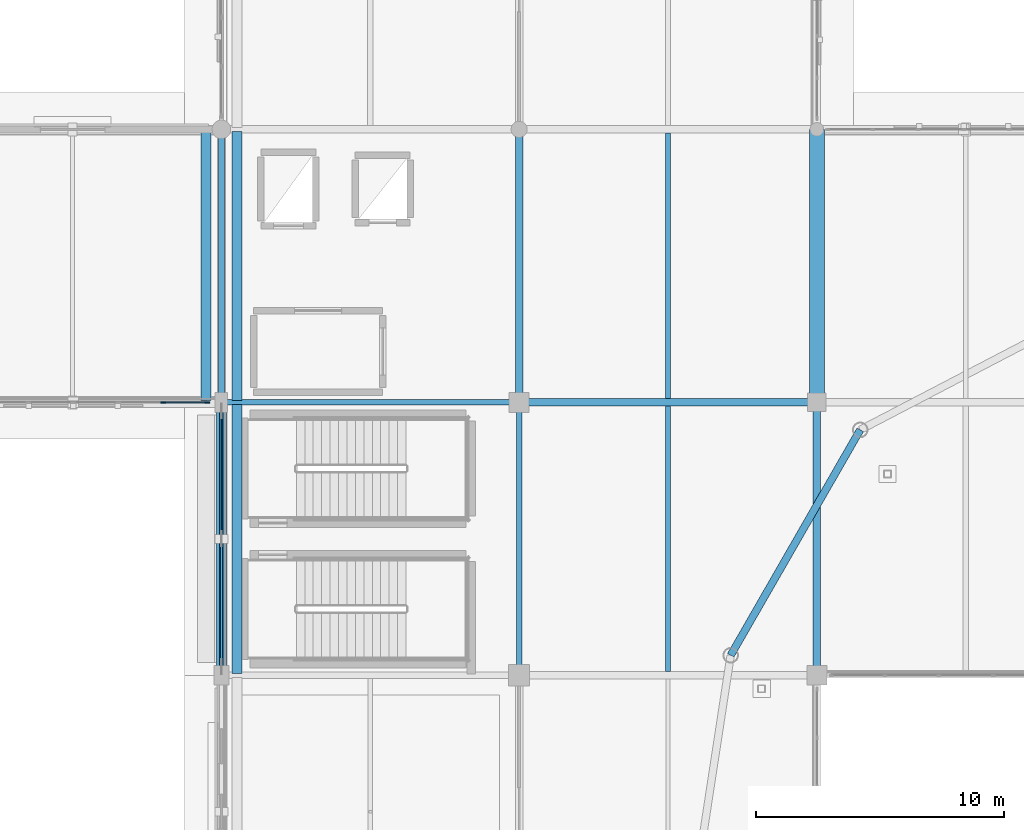
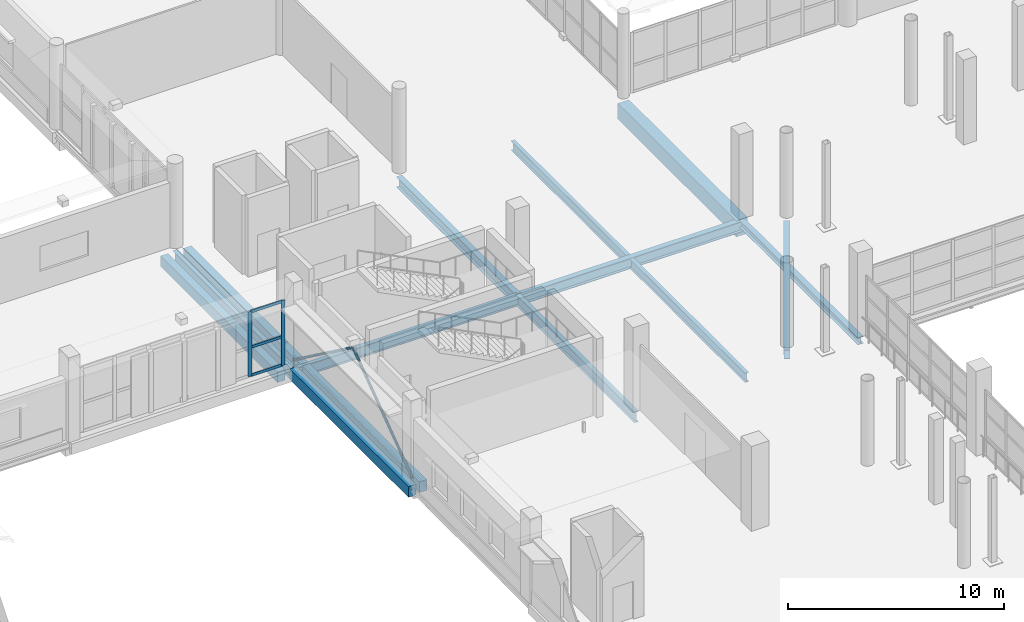
# One storey, part 42 of 143: 14 beams, 7 members, 1 element without a shape of its own.
"""IFC4 building model written with IfcOpenShell, lengths in metres."""

from ifc_helpers import new_model, si_unit, direction, frame, origin, origin_2d, place, context, subcontext, project, spatial, rectangle, hollow_rectangle, hollow_circle, i_section, extrude, material, material_profile, profile_set, type_object, element, aggregate, save


model = new_model("IFC4")

# Units and contexts
model_context = context("Model", 3, precision=1e-05, world=origin(), true_north=direction((0.0, 1.0)))
body_context = subcontext(model_context, "Body", "Model", "MODEL_VIEW")
ifc_project = project(units=[si_unit("LENGTHUNIT", "METRE"), si_unit("AREAUNIT", "SQUARE_METRE"), si_unit("VOLUMEUNIT", "CUBIC_METRE"), si_unit("PLANEANGLEUNIT", "RADIAN"), si_unit("MASSUNIT", "GRAM", prefix="KILO")], contexts=[model_context])

# Site, building, storey
site_placement = place(None, origin())
site = spatial("IfcSite", under=ifc_project, at=site_placement, CompositionType="ELEMENT")
building_placement = place(site_placement, origin())
building = spatial("IfcBuilding", under=site, at=building_placement, Name="Luwafu Chhajja Arena", CompositionType="ELEMENT")
storey_placement = place(building_placement, frame((0.0, 0.0, 5.39990234375)))
storey = spatial("IfcBuildingStorey", under=building, at=storey_placement, Name="L01", CompositionType="ELEMENT", Elevation=5.39990234375)

# Curtain wall, members
ifc_material_1 = material(Name="Anodised bronze aluminium", Category="aluminium")
curtain_wall_type = type_object("IfcCurtainWallType", Name="Foyer Luwafu Street Curtain Wall", PredefinedType="USERDEFINED", material=ifc_material_1)
curtain_wall_placement = place(storey_placement, origin())
curtain_wall = element("IfcCurtainWall", 1, at=curtain_wall_placement, inside=storey, type_object=curtain_wall_type, Name="L01 Curtain Wall CWG-L01-H02_08", ObjectType="CURTAIN WALL", PredefinedType="USERDEFINED")
ifc_material_profile_1 = material_profile(ifc_material_1, rectangle(XDim=0.06494140625, YDim=0.199951171875, at=origin_2d()), Name="CWM 65x200")
ifc_profile_set_1 = profile_set([ifc_material_profile_1], Name="Anodised bronze aluminium")
member_type_1 = type_object("IfcMemberType", Name="Bronze Curtain Wall Mullion 65x200", PredefinedType="MULLION", material=ifc_profile_set_1)
member_1_placement = place(storey_placement, frame((31.6484375, 88.0, 0.030029296875), z_axis=(0.0, 0.0, 1.0), x_axis=(0.0, 1.0, 0.0)))
member_1 = element("IfcMember", 2, at=member_1_placement, type_object=member_type_1, Name="CW-05 mullion 6", PredefinedType="MULLION", context=body_context, shape_type="SweptSolid", body=[
    extrude(rectangle(XDim=0.06494140625, YDim=0.199951171875, at=origin_2d()), origin(), (0.0, 0.0, 1.0), 3.66015625),
])
member_2_placement = place(storey_placement, frame((33.427490234375, 88.0, 0.030029296875), z_axis=(0.0, 0.0, 1.0), x_axis=(0.0, 1.0, 0.0)))
member_2 = element("IfcMember", 3, at=member_2_placement, type_object=member_type_1, Name="CW-05 mullion 7", PredefinedType="MULLION", context=body_context, shape_type="SweptSolid", body=[
    extrude(rectangle(XDim=0.06494140625, YDim=0.199951171875, at=origin_2d()), origin(), (0.0, 0.0, 1.0), 3.66015625),
])
ifc_material_profile_2 = material_profile(ifc_material_1, rectangle(XDim=0.06494140625, YDim=0.14990234375, at=origin_2d()), Name="CWT 65x150")
ifc_profile_set_2 = profile_set([ifc_material_profile_2], Name="Anodised bronze aluminium")
member_type_2 = type_object("IfcMemberType", Name="Bronze Curtain Wall Transom 65x150", PredefinedType="USERDEFINED", material=ifc_profile_set_2)
member_3_placement = place(storey_placement, frame((31.680908203125, 88.0, 0.0625), z_axis=(1.0, 0.0, 0.0), x_axis=(0.0, 1.0, 0.0)))
member_3 = element("IfcMember", 4, at=member_3_placement, type_object=member_type_2, Name="CW-05 transom 6.1", ObjectType="TRANSOM", PredefinedType="USERDEFINED", context=body_context, shape_type="SweptSolid", body=[
    extrude(rectangle(XDim=0.06494140625, YDim=0.14990234375, at=origin_2d()), origin(), (0.0, 0.0, 1.0), 1.714111328125),
])
member_4_placement = place(storey_placement, frame((31.680908203125, 88.0, 1.66064453125), z_axis=(1.0, 0.0, 0.0), x_axis=(0.0, 1.0, 0.0)))
member_4 = element("IfcMember", 5, at=member_4_placement, type_object=member_type_2, Name="CW-05 transom 6.2", ObjectType="TRANSOM", PredefinedType="USERDEFINED", context=body_context, shape_type="SweptSolid", body=[
    extrude(rectangle(XDim=0.06494140625, YDim=0.14990234375, at=origin_2d()), origin(), (0.0, 0.0, 1.0), 1.714111328125),
])
member_5_placement = place(storey_placement, frame((31.680908203125, 88.0, 3.65771484375), z_axis=(1.0, 0.0, 0.0), x_axis=(0.0, 1.0, 0.0)))
member_5 = element("IfcMember", 6, at=member_5_placement, type_object=member_type_2, Name="CW-05 transom 6.3", ObjectType="TRANSOM", PredefinedType="USERDEFINED", context=body_context, shape_type="SweptSolid", body=[
    extrude(rectangle(XDim=0.06494140625, YDim=0.14990234375, at=origin_2d()), origin(), (0.0, 0.0, 1.0), 1.714111328125),
])
aggregate(curtain_wall, [member_1, member_2, member_3, member_4, member_5])

# Members
ifc_material_2 = material(Name="Steel S355", Category="steel")
ifc_material_profile_3 = material_profile(ifc_material_2, hollow_circle(Radius=0.06982421875, WallThickness=0.00634765625, at=origin_2d()), Name="CHS 139.7x6.3")
ifc_profile_set_3 = profile_set([ifc_material_profile_3], Name="Steel S355")
member_type_3 = type_object("IfcMemberType", Name="Catwalk Secondary Brace CHS 140", PredefinedType="BRACE", material=ifc_profile_set_3)
for number, where, z_axis, x_axis, name in (
    (7, (34.0, 77.0, 0.1201171875), (0.0, 0.805936154003, 0.592002462555), (-1.0, 0.0, 0.0), "L01 Lateral Chevron Brace 13A"),
    (8, (34.0, 88.0, 0.1201171875), (0.0, -0.805936154003, 0.592002462555), (1.0, 0.0, 0.0), "L01 Lateral Chevron Brace 13B"),
):
    element("IfcMember", number, at=place(storey_placement, frame(where, z_axis=z_axis, x_axis=x_axis)), inside=storey, type_object=member_type_3, Name=name, PredefinedType="BRACE", context=body_context, shape_type="SweptSolid", body=[
        extrude(hollow_circle(Radius=0.06982421875, WallThickness=0.00634765625, at=origin_2d()), origin(), (0.0, 0.0, 1.0), 6.824462890625),
    ])

# Beams
ifc_material_3 = material(Name="Concrete C35/45", Category="concrete")
ifc_material_profile_4 = material_profile(ifc_material_3, rectangle(XDim=0.60009765625, YDim=0.89990234375, at=origin_2d()), Name="RC 600x900")
ifc_profile_set_4 = profile_set([ifc_material_profile_4], Name="Concrete C35/45")
beam_type_1 = type_object("IfcBeamType", Name="Concourse Primary Girder RC 600x900", PredefinedType="BEAM", material=ifc_profile_set_4)
beam_1_placement = place(storey_placement, frame((58.0, 88.0, -0.77978515625), z_axis=(0.0, 1.0, 0.0), x_axis=(-1.0, 0.0, 0.0)))
element("IfcBeam", 9, at=beam_1_placement, inside=storey, type_object=beam_type_1, Name="L01 Grid Beam 6/J-K", PredefinedType="BEAM", context=body_context, shape_type="SweptSolid", body=[
    extrude(rectangle(XDim=0.60009765625, YDim=0.89990234375, at=origin_2d()), origin(), (0.0, 0.0, 1.0), 11.0),
])
ifc_material_profile_5 = material_profile(ifc_material_2, i_section(OverallWidth=0.2099609375, OverallDepth=0.53662109375, WebThickness=0.0107421875, FlangeThickness=0.017333984375, at=origin_2d()), Name="UB 533x210x101")
ifc_profile_set_5 = profile_set([ifc_material_profile_5], Name="Steel S355")
beam_type_2 = type_object("IfcBeamType", Name="Floor Joist UB 533x210x101", PredefinedType="JOIST", material=ifc_profile_set_5)
beam_2_placement = place(storey_placement, frame((52.0, 77.153564453125, -0.59814453125), z_axis=(0.0, 1.0, 0.0), x_axis=(-1.0, 0.0, 0.0)))
element("IfcBeam", 10, at=beam_2_placement, inside=storey, type_object=beam_type_2, Name="L01 Secondary Joist 5-6/H", PredefinedType="JOIST", context=body_context, shape_type="SweptSolid", body=[
    extrude(i_section(OverallWidth=0.2099609375, OverallDepth=0.53662109375, WebThickness=0.0107421875, FlangeThickness=0.017333984375, at=origin_2d()), origin(), (0.0, 0.0, 1.0), 10.696533203125),
])
ifc_material_profile_6 = material_profile(ifc_material_2, i_section(OverallWidth=0.209228515625, OverallDepth=0.533203125, WebThickness=0.010009765625, FlangeThickness=0.015625, at=origin_2d()), Name="UB 533x210x92")
ifc_profile_set_6 = profile_set([ifc_material_profile_6], Name="Steel S355")
beam_type_3 = type_object("IfcBeamType", Name="Floor Joist UB 533x210x92", PredefinedType="JOIST", material=ifc_profile_set_6)
beam_3_placement = place(storey_placement, frame((52.0, 88.14990234375, -0.596435546875), z_axis=(0.0, 1.0, 0.0), x_axis=(-1.0, 0.0, 0.0)))
element("IfcBeam", 11, at=beam_3_placement, inside=storey, type_object=beam_type_3, Name="L01 Secondary Joist 5-6/J", PredefinedType="JOIST", context=body_context, shape_type="SweptSolid", body=[
    extrude(i_section(OverallWidth=0.209228515625, OverallDepth=0.533203125, WebThickness=0.010009765625, FlangeThickness=0.015625, at=origin_2d()), origin(), (0.0, 0.0, 1.0), 10.7001953125),
])
ifc_material_profile_7 = material_profile(ifc_material_2, hollow_rectangle(XDim=0.300048828125, YDim=0.5, WallThickness=0.02001953125, at=origin_2d()), Name="RHS 500x300x20")
ifc_profile_set_7 = profile_set([ifc_material_profile_7], Name="Steel S355")
beam_type_4 = type_object("IfcBeamType", Name="Pleated Drum Spandrel Beam RHS 500x300", PredefinedType="SPANDREL", material=ifc_profile_set_7)
beam_4_placement = place(storey_placement, frame((59.743896484375, 86.890869140625, -0.579833984375), z_axis=(-0.498192671921, -0.867066353657, 0.0), x_axis=(0.867066353657, -0.498192671921, 0.0)))
element("IfcBeam", 12, at=beam_4_placement, inside=storey, type_object=beam_type_4, Name="L01 Drum Ring Spandrel D13-D14", PredefinedType="SPANDREL", context=body_context, shape_type="SweptSolid", body=[
    extrude(hollow_rectangle(XDim=0.300048828125, YDim=0.5, WallThickness=0.02001953125, at=origin_2d()), origin(), (0.0, 0.0, 1.0), 10.477783203125),
])
ifc_material_profile_8 = material_profile(ifc_material_3, rectangle(XDim=0.39990234375, YDim=0.60009765625, at=origin_2d()), Name="RC 400x600")
ifc_profile_set_8 = profile_set([ifc_material_profile_8], Name="Concrete C35/45")
beam_type_5 = type_object("IfcBeamType", Name="Podium Perimeter Spandrel RC 400x600", PredefinedType="SPANDREL", material=ifc_profile_set_8)
beam_5_placement = place(storey_placement, frame((34.0, 77.0, -0.6298828125), z_axis=(0.0, 1.0, 0.0), x_axis=(-1.0, 0.0, 0.0)))
element("IfcBeam", 13, at=beam_5_placement, inside=storey, type_object=beam_type_5, Name="L01 Grid Beam 4/H-J", PredefinedType="SPANDREL", context=body_context, shape_type="SweptSolid", body=[
    extrude(rectangle(XDim=0.39990234375, YDim=0.60009765625, at=origin_2d()), origin(), (0.0, 0.0, 1.0), 11.0),
])
for number, where, z_axis, x_axis, name in (
    (14, (33.3798828125, 88.080078125, -0.6298828125), (0.0, 1.0, 0.0), (-1.0, 0.0, 0.0), "L01 Movement Joint MJ1W Seat Girder 08"),
    (15, (34.6201171875, 77.080078125, -0.6298828125), (0.0, 1.0, 0.0), (-1.0, 0.0, 0.0), "L01 Movement Joint MJ1E Seat Girder 07"),
    (16, (34.6201171875, 88.080078125, -0.6298828125), (0.0, 1.0, 0.0), (-1.0, 0.0, 0.0), "L01 Movement Joint MJ1E Seat Girder 08"),
):
    element("IfcBeam", number, at=place(storey_placement, frame(where, z_axis=z_axis, x_axis=x_axis)), inside=storey, type_object=beam_type_5, Name=name, PredefinedType="SPANDREL", context=body_context, shape_type="SweptSolid", body=[
        extrude(rectangle(XDim=0.39990234375, YDim=0.60009765625, at=origin_2d()), origin(), (0.0, 0.0, 1.0), 10.83984375),
    ])
ifc_material_profile_9 = material_profile(ifc_material_2, i_section(OverallWidth=0.253662109375, OverallDepth=0.68359375, WebThickness=0.012451171875, FlangeThickness=0.01904296875, at=origin_2d()), Name="UB 686x254x140")
ifc_profile_set_9 = profile_set([ifc_material_profile_9], Name="Steel S355")
beam_type_6 = type_object("IfcBeamType", Name="Steel Concourse Girder UB 686x254x140", PredefinedType="BEAM", material=ifc_profile_set_9)
beam_6_placement = place(storey_placement, frame((34.0, 88.0, -0.671630859375), z_axis=(0.0, 1.0, 0.0), x_axis=(-1.0, 0.0, 0.0)))
element("IfcBeam", 17, at=beam_6_placement, inside=storey, type_object=beam_type_6, Name="L01 Grid Beam 4/J-K", PredefinedType="BEAM", context=body_context, shape_type="SweptSolid", body=[
    extrude(i_section(OverallWidth=0.253662109375, OverallDepth=0.68359375, WebThickness=0.012451171875, FlangeThickness=0.01904296875, at=origin_2d()), origin(), (0.0, 0.0, 1.0), 11.0),
])
ifc_material_profile_10 = material_profile(ifc_material_2, i_section(OverallWidth=0.300048828125, OverallDepth=0.60009765625, WebThickness=0.015380859375, FlangeThickness=0.030029296875, at=origin_2d()), Name="HEB 600")
ifc_profile_set_10 = profile_set([ifc_material_profile_10], Name="Steel S355")
beam_type_7 = type_object("IfcBeamType", Name="Steel Gallery Girder HEB 600", PredefinedType="BEAM", material=ifc_profile_set_10)
beam_7_placement = place(storey_placement, frame((46.0, 88.0, -0.6298828125), z_axis=(1.0, 0.0, 0.0), x_axis=(0.0, 1.0, 0.0)))
element("IfcBeam", 18, at=beam_7_placement, inside=storey, type_object=beam_type_7, Name="L01 Grid Beam 5-6/J", PredefinedType="BEAM", context=body_context, shape_type="SweptSolid", body=[
    extrude(i_section(OverallWidth=0.300048828125, OverallDepth=0.60009765625, WebThickness=0.015380859375, FlangeThickness=0.030029296875, at=origin_2d()), origin(), (0.0, 0.0, 1.0), 12.0),
])
beam_8_placement = place(storey_placement, frame((46.0, 88.0, -0.6298828125), z_axis=(0.0, 1.0, 0.0), x_axis=(-1.0, 0.0, 0.0)))
element("IfcBeam", 19, at=beam_8_placement, inside=storey, type_object=beam_type_7, Name="L01 Grid Beam 5/J-K", PredefinedType="BEAM", context=body_context, shape_type="SweptSolid", body=[
    extrude(i_section(OverallWidth=0.300048828125, OverallDepth=0.60009765625, WebThickness=0.015380859375, FlangeThickness=0.030029296875, at=origin_2d()), origin(), (0.0, 0.0, 1.0), 11.0),
])
ifc_material_profile_11 = material_profile(ifc_material_2, i_section(OverallWidth=0.22900390625, OverallDepth=0.6123046875, WebThickness=0.011962890625, FlangeThickness=0.01953125, at=origin_2d()), Name="UB 610x229x125")
ifc_profile_set_11 = profile_set([ifc_material_profile_11], Name="Steel S355")
beam_type_8 = type_object("IfcBeamType", Name="Steel Mezzanine Girder UB 610x229x125", PredefinedType="BEAM", material=ifc_profile_set_11)
beam_9_placement = place(storey_placement, frame((34.0, 88.0, -0.635986328125), z_axis=(1.0, 0.0, 0.0), x_axis=(0.0, 1.0, 0.0)))
element("IfcBeam", 20, at=beam_9_placement, inside=storey, type_object=beam_type_8, Name="L01 Grid Beam 4-5/J", PredefinedType="BEAM", context=body_context, shape_type="SweptSolid", body=[
    extrude(i_section(OverallWidth=0.22900390625, OverallDepth=0.6123046875, WebThickness=0.011962890625, FlangeThickness=0.01953125, at=origin_2d()), origin(), (0.0, 0.0, 1.0), 12.0),
])
beam_10_placement = place(storey_placement, frame((46.0, 77.0, -0.635986328125), z_axis=(0.0, 1.0, 0.0), x_axis=(-1.0, 0.0, 0.0)))
element("IfcBeam", 21, at=beam_10_placement, inside=storey, type_object=beam_type_8, Name="L01 Grid Beam 5/H-J", PredefinedType="BEAM", context=body_context, shape_type="SweptSolid", body=[
    extrude(i_section(OverallWidth=0.22900390625, OverallDepth=0.6123046875, WebThickness=0.011962890625, FlangeThickness=0.01953125, at=origin_2d()), origin(), (0.0, 0.0, 1.0), 11.0),
])
ifc_material_profile_12 = material_profile(ifc_material_2, i_section(OverallWidth=0.300048828125, OverallDepth=0.39990234375, WebThickness=0.013427734375, FlangeThickness=0.02392578125, at=origin_2d()), Name="HEB 400")
ifc_profile_set_12 = profile_set([ifc_material_profile_12], Name="Steel S355")
beam_type_9 = type_object("IfcBeamType", Name="Steel Rigging Grid Beam HEB 400", PredefinedType="BEAM", material=ifc_profile_set_12)
beam_11_placement = place(storey_placement, frame((58.0, 77.0, -0.52978515625), z_axis=(0.0, 1.0, 0.0), x_axis=(-1.0, 0.0, 0.0)))
element("IfcBeam", 22, at=beam_11_placement, inside=storey, type_object=beam_type_9, Name="L01 Grid Beam 6/H-J", PredefinedType="BEAM", context=body_context, shape_type="SweptSolid", body=[
    extrude(i_section(OverallWidth=0.300048828125, OverallDepth=0.39990234375, WebThickness=0.013427734375, FlangeThickness=0.02392578125, at=origin_2d()), origin(), (0.0, 0.0, 1.0), 11.0),
])

save(model, "model.ifc")
